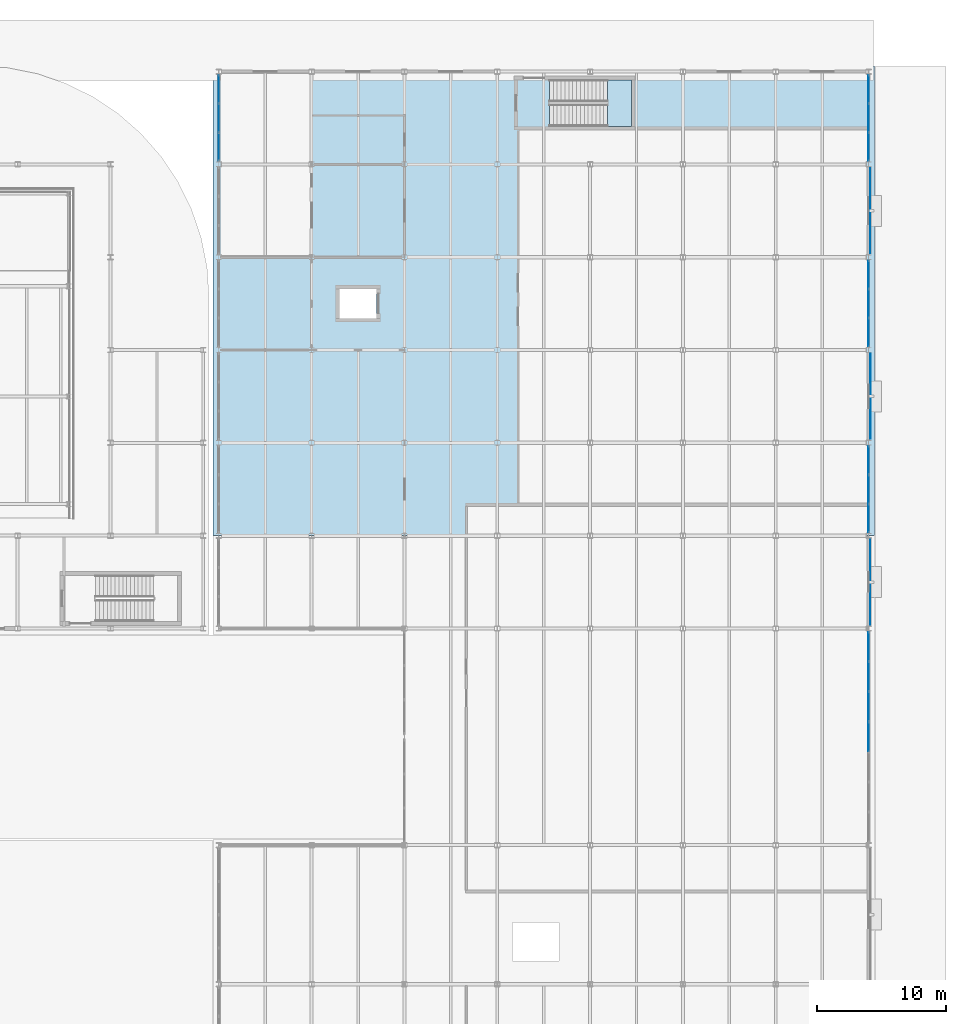
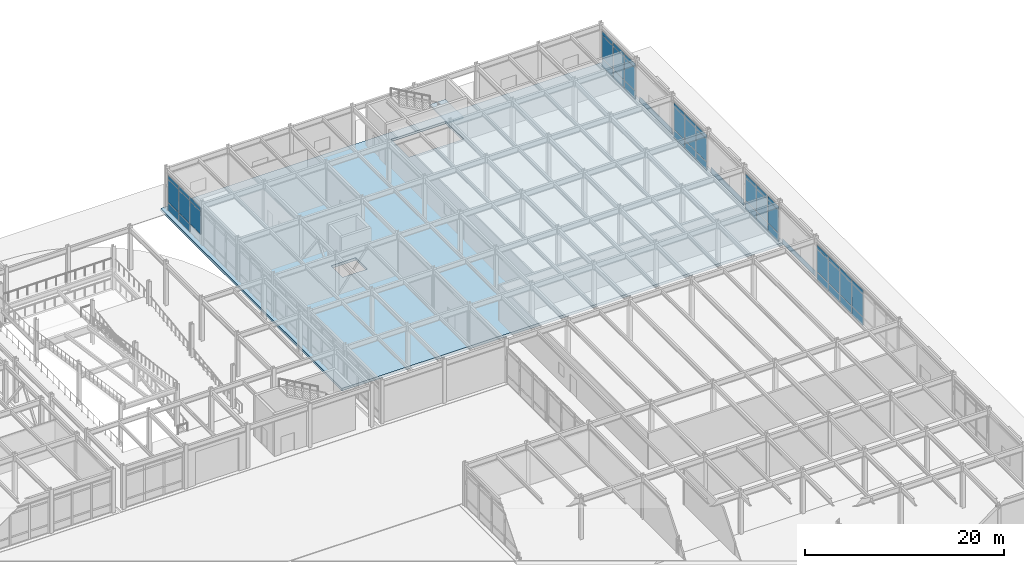
# One storey, part 66 of 104: 50 plates, 2 slabs, 6 elements without a shape of their own.
"""IFC4 building model written with IfcOpenShell, lengths in metres."""

from ifc_helpers import new_model, si_unit, direction, frame, origin, origin_2d, place, context, subcontext, project, spatial, polyline, rectangle, outline, extrude, material, layer, layer_set, type_object, element, aggregate, save


model = new_model("IFC4")

# Units and contexts
model_context = context("Model", 3, precision=1e-05, world=origin(), true_north=direction((0.0, 1.0)))
body_context = subcontext(model_context, "Body", "Model", "MODEL_VIEW")
ifc_project = project(units=[si_unit("LENGTHUNIT", "METRE"), si_unit("AREAUNIT", "SQUARE_METRE"), si_unit("VOLUMEUNIT", "CUBIC_METRE"), si_unit("PLANEANGLEUNIT", "RADIAN"), si_unit("MASSUNIT", "GRAM", prefix="KILO")], contexts=[model_context])

# Site, building, storey
site_placement = place(None, origin())
site = spatial("IfcSite", under=ifc_project, at=site_placement, CompositionType="ELEMENT")
building_placement = place(site_placement, origin())
building = spatial("IfcBuilding", under=site, at=building_placement, Name="Vaelcorin Mobility Hub", CompositionType="ELEMENT")
storey_placement = place(building_placement, origin())
storey = spatial("IfcBuildingStorey", under=building, at=storey_placement, Name="L00", CompositionType="ELEMENT", Elevation=0.0)

# Curtain wall, plates
ifc_material_1 = material(Name="Anodised aluminium 6063-T6", Category="aluminium")
curtain_wall_type = type_object("IfcCurtainWallType", Name="CW-MOB-A", PredefinedType="NOTDEFINED", material=ifc_material_1)
curtain_wall_1_placement = place(storey_placement, origin())
curtain_wall_1 = element("IfcCurtainWall", 1, at=curtain_wall_1_placement, inside=storey, type_object=curtain_wall_type, Name="L00 Curtain Wall CW-V5-L00-E-08", PredefinedType="NOTDEFINED")
ifc_material_2 = material(Name="Low-E solar-control insulated glazing", Category="glass")
ifc_layer_1 = layer(ifc_material_2, 0.031982421875)
ifc_layer_set_1 = layer_set([ifc_layer_1], Name="Low-E solar-control insulated glazing")
plate_type_1 = type_object("IfcPlateType", Name="CW-PAN-GLZ32", PredefinedType="CURTAIN_PANEL", material=ifc_layer_set_1)
plate_1_placement = place(storey_placement, frame((204.0, 75.396484375, 0.06005859375), z_axis=(0.0, 0.0, 1.0), x_axis=(0.0, -1.0, 0.0)))
plate_1 = element("IfcPlate", 2, at=plate_1_placement, type_object=plate_type_1, Name="CW7 panel 1.1", PredefinedType="CURTAIN_PANEL", context=body_context, shape_type="SweptSolid", body=[
    extrude(rectangle(XDim=2.2470703125, YDim=0.028076171875, at=origin_2d()), origin(), (0.0, 0.0, 1.0), 0.9599609375),
])
plate_2_placement = place(storey_placement, frame((204.0, 75.396484375, 1.080078125), z_axis=(0.0, 0.0, 1.0), x_axis=(0.0, -1.0, 0.0)))
plate_2 = element("IfcPlate", 3, at=plate_2_placement, type_object=plate_type_1, Name="CW7 panel 1.2", PredefinedType="CURTAIN_PANEL", context=body_context, shape_type="SweptSolid", body=[
    extrude(rectangle(XDim=2.2470703125, YDim=0.028076171875, at=origin_2d()), origin(), (0.0, 0.0, 1.0), 2.781982421875),
])
plate_3_placement = place(storey_placement, frame((204.0, 75.396484375, 3.922119140625), z_axis=(0.0, 0.0, 1.0), x_axis=(0.0, -1.0, 0.0)))
plate_3 = element("IfcPlate", 4, at=plate_3_placement, type_object=plate_type_1, Name="CW7 panel 1.3", PredefinedType="CURTAIN_PANEL", context=body_context, shape_type="SweptSolid", body=[
    extrude(rectangle(XDim=2.2470703125, YDim=0.028076171875, at=origin_2d()), origin(), (0.0, 0.0, 1.0), 0.4599609375),
])
plate_4_placement = place(storey_placement, frame((204.0, 73.07421875, 0.06005859375), z_axis=(0.0, 0.0, 1.0), x_axis=(0.0, -1.0, 0.0)))
plate_4 = element("IfcPlate", 5, at=plate_4_placement, type_object=plate_type_1, Name="CW7 panel 2.1", PredefinedType="CURTAIN_PANEL", context=body_context, shape_type="SweptSolid", body=[
    extrude(rectangle(XDim=2.277099609375, YDim=0.028076171875, at=origin_2d()), origin(), (0.0, 0.0, 1.0), 0.9599609375),
])
plate_5_placement = place(storey_placement, frame((204.0, 73.07421875, 1.080078125), z_axis=(0.0, 0.0, 1.0), x_axis=(0.0, -1.0, 0.0)))
plate_5 = element("IfcPlate", 6, at=plate_5_placement, type_object=plate_type_1, Name="CW7 panel 2.2", PredefinedType="CURTAIN_PANEL", context=body_context, shape_type="SweptSolid", body=[
    extrude(rectangle(XDim=2.277099609375, YDim=0.028076171875, at=origin_2d()), origin(), (0.0, 0.0, 1.0), 2.781982421875),
])
plate_6_placement = place(storey_placement, frame((204.0, 73.07421875, 3.922119140625), z_axis=(0.0, 0.0, 1.0), x_axis=(0.0, -1.0, 0.0)))
plate_6 = element("IfcPlate", 7, at=plate_6_placement, type_object=plate_type_1, Name="CW7 panel 2.3", PredefinedType="CURTAIN_PANEL", context=body_context, shape_type="SweptSolid", body=[
    extrude(rectangle(XDim=2.277099609375, YDim=0.028076171875, at=origin_2d()), origin(), (0.0, 0.0, 1.0), 0.4599609375),
])
plate_7_placement = place(storey_placement, frame((204.0, 70.737060546875, 0.06005859375), z_axis=(0.0, 0.0, 1.0), x_axis=(0.0, -1.0, 0.0)))
plate_7 = element("IfcPlate", 8, at=plate_7_placement, type_object=plate_type_1, Name="CW7 panel 3.1", PredefinedType="CURTAIN_PANEL", context=body_context, shape_type="SweptSolid", body=[
    extrude(rectangle(XDim=2.277099609375, YDim=0.028076171875, at=origin_2d()), origin(), (0.0, 0.0, 1.0), 0.9599609375),
])
plate_8_placement = place(storey_placement, frame((204.0, 70.737060546875, 1.080078125), z_axis=(0.0, 0.0, 1.0), x_axis=(0.0, -1.0, 0.0)))
plate_8 = element("IfcPlate", 9, at=plate_8_placement, type_object=plate_type_1, Name="CW7 panel 3.2", PredefinedType="CURTAIN_PANEL", context=body_context, shape_type="SweptSolid", body=[
    extrude(rectangle(XDim=2.277099609375, YDim=0.028076171875, at=origin_2d()), origin(), (0.0, 0.0, 1.0), 2.781982421875),
])
plate_9_placement = place(storey_placement, frame((204.0, 70.737060546875, 3.922119140625), z_axis=(0.0, 0.0, 1.0), x_axis=(0.0, -1.0, 0.0)))
plate_9 = element("IfcPlate", 10, at=plate_9_placement, type_object=plate_type_1, Name="CW7 panel 3.3", PredefinedType="CURTAIN_PANEL", context=body_context, shape_type="SweptSolid", body=[
    extrude(rectangle(XDim=2.277099609375, YDim=0.028076171875, at=origin_2d()), origin(), (0.0, 0.0, 1.0), 0.4599609375),
])
plate_10_placement = place(storey_placement, frame((204.0, 68.39990234375, 0.06005859375), z_axis=(0.0, 0.0, 1.0), x_axis=(0.0, -1.0, 0.0)))
plate_10 = element("IfcPlate", 11, at=plate_10_placement, type_object=plate_type_1, Name="CW7 panel 4.1", PredefinedType="CURTAIN_PANEL", context=body_context, shape_type="SweptSolid", body=[
    extrude(rectangle(XDim=2.277099609375, YDim=0.028076171875, at=origin_2d()), origin(), (0.0, 0.0, 1.0), 0.9599609375),
])
plate_11_placement = place(storey_placement, frame((204.0, 68.39990234375, 1.080078125), z_axis=(0.0, 0.0, 1.0), x_axis=(0.0, -1.0, 0.0)))
plate_11 = element("IfcPlate", 12, at=plate_11_placement, type_object=plate_type_1, Name="CW7 panel 4.2", PredefinedType="CURTAIN_PANEL", context=body_context, shape_type="SweptSolid", body=[
    extrude(rectangle(XDim=2.277099609375, YDim=0.028076171875, at=origin_2d()), origin(), (0.0, 0.0, 1.0), 2.781982421875),
])
plate_12_placement = place(storey_placement, frame((204.0, 68.39990234375, 3.922119140625), z_axis=(0.0, 0.0, 1.0), x_axis=(0.0, -1.0, 0.0)))
plate_12 = element("IfcPlate", 13, at=plate_12_placement, type_object=plate_type_1, Name="CW7 panel 4.3", PredefinedType="CURTAIN_PANEL", context=body_context, shape_type="SweptSolid", body=[
    extrude(rectangle(XDim=2.277099609375, YDim=0.028076171875, at=origin_2d()), origin(), (0.0, 0.0, 1.0), 0.4599609375),
])
aggregate(curtain_wall_1, [plate_1, plate_2, plate_3, plate_4, plate_5, plate_6, plate_7, plate_8, plate_9, plate_10, plate_11, plate_12])

curtain_wall_2_placement = place(storey_placement, origin())
curtain_wall_2 = element("IfcCurtainWall", 14, at=curtain_wall_2_placement, inside=storey, type_object=curtain_wall_type, Name="L00 Curtain Wall CW-V5-L00-E-10", PredefinedType="NOTDEFINED")
plate_13_placement = place(storey_placement, frame((204.0, 89.83837890625, 0.06005859375), z_axis=(0.0, 0.0, 1.0), x_axis=(0.0, -1.0, 0.0)))
plate_13 = element("IfcPlate", 15, at=plate_13_placement, type_object=plate_type_1, Name="CW7 panel 1.1", PredefinedType="CURTAIN_PANEL", context=body_context, shape_type="SweptSolid", body=[
    extrude(rectangle(XDim=2.163330078125, YDim=0.028076171875, at=origin_2d()), origin(), (0.0, 0.0, 1.0), 0.9599609375),
])
plate_14_placement = place(storey_placement, frame((204.0, 89.83837890625, 1.080078125), z_axis=(0.0, 0.0, 1.0), x_axis=(0.0, -1.0, 0.0)))
plate_14 = element("IfcPlate", 16, at=plate_14_placement, type_object=plate_type_1, Name="CW7 panel 1.2", PredefinedType="CURTAIN_PANEL", context=body_context, shape_type="SweptSolid", body=[
    extrude(rectangle(XDim=2.163330078125, YDim=0.028076171875, at=origin_2d()), origin(), (0.0, 0.0, 1.0), 2.781982421875),
])
plate_15_placement = place(storey_placement, frame((204.0, 89.83837890625, 3.922119140625), z_axis=(0.0, 0.0, 1.0), x_axis=(0.0, -1.0, 0.0)))
plate_15 = element("IfcPlate", 17, at=plate_15_placement, type_object=plate_type_1, Name="CW7 panel 1.3", PredefinedType="CURTAIN_PANEL", context=body_context, shape_type="SweptSolid", body=[
    extrude(rectangle(XDim=2.163330078125, YDim=0.028076171875, at=origin_2d()), origin(), (0.0, 0.0, 1.0), 0.4599609375),
])
plate_16_placement = place(storey_placement, frame((204.0, 87.60009765625, 0.06005859375), z_axis=(0.0, 0.0, 1.0), x_axis=(0.0, -1.0, 0.0)))
plate_16 = element("IfcPlate", 18, at=plate_16_placement, type_object=plate_type_1, Name="CW7 panel 2.1", PredefinedType="CURTAIN_PANEL", context=body_context, shape_type="SweptSolid", body=[
    extrude(rectangle(XDim=2.193359375, YDim=0.028076171875, at=origin_2d()), origin(), (0.0, 0.0, 1.0), 0.9599609375),
])
plate_17_placement = place(storey_placement, frame((204.0, 87.60009765625, 1.080078125), z_axis=(0.0, 0.0, 1.0), x_axis=(0.0, -1.0, 0.0)))
plate_17 = element("IfcPlate", 19, at=plate_17_placement, type_object=plate_type_1, Name="CW7 panel 2.2", PredefinedType="CURTAIN_PANEL", context=body_context, shape_type="SweptSolid", body=[
    extrude(rectangle(XDim=2.193359375, YDim=0.028076171875, at=origin_2d()), origin(), (0.0, 0.0, 1.0), 2.781982421875),
])
plate_18_placement = place(storey_placement, frame((204.0, 87.60009765625, 3.922119140625), z_axis=(0.0, 0.0, 1.0), x_axis=(0.0, -1.0, 0.0)))
plate_18 = element("IfcPlate", 20, at=plate_18_placement, type_object=plate_type_1, Name="CW7 panel 2.3", PredefinedType="CURTAIN_PANEL", context=body_context, shape_type="SweptSolid", body=[
    extrude(rectangle(XDim=2.193359375, YDim=0.028076171875, at=origin_2d()), origin(), (0.0, 0.0, 1.0), 0.4599609375),
])
plate_19_placement = place(storey_placement, frame((204.0, 85.361572265625, 0.06005859375), z_axis=(0.0, 0.0, 1.0), x_axis=(0.0, -1.0, 0.0)))
plate_19 = element("IfcPlate", 21, at=plate_19_placement, type_object=plate_type_1, Name="CW7 panel 3.1", PredefinedType="CURTAIN_PANEL", context=body_context, shape_type="SweptSolid", body=[
    extrude(rectangle(XDim=2.163330078125, YDim=0.028076171875, at=origin_2d()), origin(), (0.0, 0.0, 1.0), 0.9599609375),
])
plate_20_placement = place(storey_placement, frame((204.0, 85.361572265625, 1.080078125), z_axis=(0.0, 0.0, 1.0), x_axis=(0.0, -1.0, 0.0)))
plate_20 = element("IfcPlate", 22, at=plate_20_placement, type_object=plate_type_1, Name="CW7 panel 3.2", PredefinedType="CURTAIN_PANEL", context=body_context, shape_type="SweptSolid", body=[
    extrude(rectangle(XDim=2.163330078125, YDim=0.028076171875, at=origin_2d()), origin(), (0.0, 0.0, 1.0), 2.781982421875),
])
plate_21_placement = place(storey_placement, frame((204.0, 85.361572265625, 3.922119140625), z_axis=(0.0, 0.0, 1.0), x_axis=(0.0, -1.0, 0.0)))
plate_21 = element("IfcPlate", 23, at=plate_21_placement, type_object=plate_type_1, Name="CW7 panel 3.3", PredefinedType="CURTAIN_PANEL", context=body_context, shape_type="SweptSolid", body=[
    extrude(rectangle(XDim=2.163330078125, YDim=0.028076171875, at=origin_2d()), origin(), (0.0, 0.0, 1.0), 0.4599609375),
])
aggregate(curtain_wall_2, [plate_13, plate_14, plate_15, plate_16, plate_17, plate_18, plate_19, plate_20, plate_21])

curtain_wall_3_placement = place(storey_placement, origin())
curtain_wall_3 = element("IfcCurtainWall", 24, at=curtain_wall_3_placement, inside=storey, type_object=curtain_wall_type, Name="L00 Curtain Wall CW-V5-L00-E-12", PredefinedType="NOTDEFINED")
plate_22_placement = place(storey_placement, frame((204.0, 104.23828125, 0.06005859375), z_axis=(0.0, 0.0, 1.0), x_axis=(0.0, -1.0, 0.0)))
plate_22 = element("IfcPlate", 25, at=plate_22_placement, type_object=plate_type_1, Name="CW7 panel 1.1", PredefinedType="CURTAIN_PANEL", context=body_context, shape_type="SweptSolid", body=[
    extrude(rectangle(XDim=2.163330078125, YDim=0.028076171875, at=origin_2d()), origin(), (0.0, 0.0, 1.0), 0.9599609375),
])
plate_23_placement = place(storey_placement, frame((204.0, 104.23828125, 1.080078125), z_axis=(0.0, 0.0, 1.0), x_axis=(0.0, -1.0, 0.0)))
plate_23 = element("IfcPlate", 26, at=plate_23_placement, type_object=plate_type_1, Name="CW7 panel 1.2", PredefinedType="CURTAIN_PANEL", context=body_context, shape_type="SweptSolid", body=[
    extrude(rectangle(XDim=2.163330078125, YDim=0.028076171875, at=origin_2d()), origin(), (0.0, 0.0, 1.0), 2.781982421875),
])
plate_24_placement = place(storey_placement, frame((204.0, 104.23828125, 3.922119140625), z_axis=(0.0, 0.0, 1.0), x_axis=(0.0, -1.0, 0.0)))
plate_24 = element("IfcPlate", 27, at=plate_24_placement, type_object=plate_type_1, Name="CW7 panel 1.3", PredefinedType="CURTAIN_PANEL", context=body_context, shape_type="SweptSolid", body=[
    extrude(rectangle(XDim=2.163330078125, YDim=0.028076171875, at=origin_2d()), origin(), (0.0, 0.0, 1.0), 0.4599609375),
])
plate_25_placement = place(storey_placement, frame((204.0, 102.0, 0.06005859375), z_axis=(0.0, 0.0, 1.0), x_axis=(0.0, -1.0, 0.0)))
plate_25 = element("IfcPlate", 28, at=plate_25_placement, type_object=plate_type_1, Name="CW7 panel 2.1", PredefinedType="CURTAIN_PANEL", context=body_context, shape_type="SweptSolid", body=[
    extrude(rectangle(XDim=2.193359375, YDim=0.028076171875, at=origin_2d()), origin(), (0.0, 0.0, 1.0), 0.9599609375),
])
plate_26_placement = place(storey_placement, frame((204.0, 102.0, 1.080078125), z_axis=(0.0, 0.0, 1.0), x_axis=(0.0, -1.0, 0.0)))
plate_26 = element("IfcPlate", 29, at=plate_26_placement, type_object=plate_type_1, Name="CW7 panel 2.2", PredefinedType="CURTAIN_PANEL", context=body_context, shape_type="SweptSolid", body=[
    extrude(rectangle(XDim=2.193359375, YDim=0.028076171875, at=origin_2d()), origin(), (0.0, 0.0, 1.0), 2.781982421875),
])
plate_27_placement = place(storey_placement, frame((204.0, 102.0, 3.922119140625), z_axis=(0.0, 0.0, 1.0), x_axis=(0.0, -1.0, 0.0)))
plate_27 = element("IfcPlate", 30, at=plate_27_placement, type_object=plate_type_1, Name="CW7 panel 2.3", PredefinedType="CURTAIN_PANEL", context=body_context, shape_type="SweptSolid", body=[
    extrude(rectangle(XDim=2.193359375, YDim=0.028076171875, at=origin_2d()), origin(), (0.0, 0.0, 1.0), 0.4599609375),
])
plate_28_placement = place(storey_placement, frame((204.0, 99.76171875, 0.06005859375), z_axis=(0.0, 0.0, 1.0), x_axis=(0.0, -1.0, 0.0)))
plate_28 = element("IfcPlate", 31, at=plate_28_placement, type_object=plate_type_1, Name="CW7 panel 3.1", PredefinedType="CURTAIN_PANEL", context=body_context, shape_type="SweptSolid", body=[
    extrude(rectangle(XDim=2.163330078125, YDim=0.028076171875, at=origin_2d()), origin(), (0.0, 0.0, 1.0), 0.9599609375),
])
plate_29_placement = place(storey_placement, frame((204.0, 99.76171875, 1.080078125), z_axis=(0.0, 0.0, 1.0), x_axis=(0.0, -1.0, 0.0)))
plate_29 = element("IfcPlate", 32, at=plate_29_placement, type_object=plate_type_1, Name="CW7 panel 3.2", PredefinedType="CURTAIN_PANEL", context=body_context, shape_type="SweptSolid", body=[
    extrude(rectangle(XDim=2.163330078125, YDim=0.028076171875, at=origin_2d()), origin(), (0.0, 0.0, 1.0), 2.781982421875),
])
plate_30_placement = place(storey_placement, frame((204.0, 99.76171875, 3.922119140625), z_axis=(0.0, 0.0, 1.0), x_axis=(0.0, -1.0, 0.0)))
plate_30 = element("IfcPlate", 33, at=plate_30_placement, type_object=plate_type_1, Name="CW7 panel 3.3", PredefinedType="CURTAIN_PANEL", context=body_context, shape_type="SweptSolid", body=[
    extrude(rectangle(XDim=2.163330078125, YDim=0.028076171875, at=origin_2d()), origin(), (0.0, 0.0, 1.0), 0.4599609375),
])
aggregate(curtain_wall_3, [plate_22, plate_23, plate_24, plate_25, plate_26, plate_27, plate_28, plate_29, plate_30])

curtain_wall_4_placement = place(storey_placement, origin())
curtain_wall_4 = element("IfcCurtainWall", 34, at=curtain_wall_4_placement, inside=storey, type_object=curtain_wall_type, Name="L00 Curtain Wall CW-V5-L00-E-14", PredefinedType="NOTDEFINED")
plate_31_placement = place(storey_placement, frame((204.0, 118.638427734375, 0.06005859375), z_axis=(0.0, 0.0, 1.0), x_axis=(0.0, -1.0, 0.0)))
plate_31 = element("IfcPlate", 35, at=plate_31_placement, type_object=plate_type_1, Name="CW7 panel 1.1", PredefinedType="CURTAIN_PANEL", context=body_context, shape_type="SweptSolid", body=[
    extrude(rectangle(XDim=2.163330078125, YDim=0.028076171875, at=origin_2d()), origin(), (0.0, 0.0, 1.0), 0.9599609375),
])
plate_32_placement = place(storey_placement, frame((204.0, 118.638427734375, 1.080078125), z_axis=(0.0, 0.0, 1.0), x_axis=(0.0, -1.0, 0.0)))
plate_32 = element("IfcPlate", 36, at=plate_32_placement, type_object=plate_type_1, Name="CW7 panel 1.2", PredefinedType="CURTAIN_PANEL", context=body_context, shape_type="SweptSolid", body=[
    extrude(rectangle(XDim=2.163330078125, YDim=0.028076171875, at=origin_2d()), origin(), (0.0, 0.0, 1.0), 2.781982421875),
])
plate_33_placement = place(storey_placement, frame((204.0, 118.638427734375, 3.922119140625), z_axis=(0.0, 0.0, 1.0), x_axis=(0.0, -1.0, 0.0)))
plate_33 = element("IfcPlate", 37, at=plate_33_placement, type_object=plate_type_1, Name="CW7 panel 1.3", PredefinedType="CURTAIN_PANEL", context=body_context, shape_type="SweptSolid", body=[
    extrude(rectangle(XDim=2.163330078125, YDim=0.028076171875, at=origin_2d()), origin(), (0.0, 0.0, 1.0), 0.4599609375),
])
plate_34_placement = place(storey_placement, frame((204.0, 116.39990234375, 0.06005859375), z_axis=(0.0, 0.0, 1.0), x_axis=(0.0, -1.0, 0.0)))
plate_34 = element("IfcPlate", 38, at=plate_34_placement, type_object=plate_type_1, Name="CW7 panel 2.1", PredefinedType="CURTAIN_PANEL", context=body_context, shape_type="SweptSolid", body=[
    extrude(rectangle(XDim=2.193359375, YDim=0.028076171875, at=origin_2d()), origin(), (0.0, 0.0, 1.0), 0.9599609375),
])
plate_35_placement = place(storey_placement, frame((204.0, 116.39990234375, 1.080078125), z_axis=(0.0, 0.0, 1.0), x_axis=(0.0, -1.0, 0.0)))
plate_35 = element("IfcPlate", 39, at=plate_35_placement, type_object=plate_type_1, Name="CW7 panel 2.2", PredefinedType="CURTAIN_PANEL", context=body_context, shape_type="SweptSolid", body=[
    extrude(rectangle(XDim=2.193359375, YDim=0.028076171875, at=origin_2d()), origin(), (0.0, 0.0, 1.0), 2.781982421875),
])
plate_36_placement = place(storey_placement, frame((204.0, 116.39990234375, 3.922119140625), z_axis=(0.0, 0.0, 1.0), x_axis=(0.0, -1.0, 0.0)))
plate_36 = element("IfcPlate", 40, at=plate_36_placement, type_object=plate_type_1, Name="CW7 panel 2.3", PredefinedType="CURTAIN_PANEL", context=body_context, shape_type="SweptSolid", body=[
    extrude(rectangle(XDim=2.193359375, YDim=0.028076171875, at=origin_2d()), origin(), (0.0, 0.0, 1.0), 0.4599609375),
])
plate_37_placement = place(storey_placement, frame((204.0, 114.16162109375, 0.06005859375), z_axis=(0.0, 0.0, 1.0), x_axis=(0.0, -1.0, 0.0)))
plate_37 = element("IfcPlate", 41, at=plate_37_placement, type_object=plate_type_1, Name="CW7 panel 3.1", PredefinedType="CURTAIN_PANEL", context=body_context, shape_type="SweptSolid", body=[
    extrude(rectangle(XDim=2.163330078125, YDim=0.028076171875, at=origin_2d()), origin(), (0.0, 0.0, 1.0), 0.9599609375),
])
plate_38_placement = place(storey_placement, frame((204.0, 114.16162109375, 1.080078125), z_axis=(0.0, 0.0, 1.0), x_axis=(0.0, -1.0, 0.0)))
plate_38 = element("IfcPlate", 42, at=plate_38_placement, type_object=plate_type_1, Name="CW7 panel 3.2", PredefinedType="CURTAIN_PANEL", context=body_context, shape_type="SweptSolid", body=[
    extrude(rectangle(XDim=2.163330078125, YDim=0.028076171875, at=origin_2d()), origin(), (0.0, 0.0, 1.0), 2.781982421875),
])
plate_39_placement = place(storey_placement, frame((204.0, 114.16162109375, 3.922119140625), z_axis=(0.0, 0.0, 1.0), x_axis=(0.0, -1.0, 0.0)))
plate_39 = element("IfcPlate", 43, at=plate_39_placement, type_object=plate_type_1, Name="CW7 panel 3.3", PredefinedType="CURTAIN_PANEL", context=body_context, shape_type="SweptSolid", body=[
    extrude(rectangle(XDim=2.163330078125, YDim=0.028076171875, at=origin_2d()), origin(), (0.0, 0.0, 1.0), 0.4599609375),
])
aggregate(curtain_wall_4, [plate_31, plate_32, plate_33, plate_34, plate_35, plate_36, plate_37, plate_38, plate_39])

curtain_wall_5_placement = place(storey_placement, origin())
curtain_wall_5 = element("IfcCurtainWall", 44, at=curtain_wall_5_placement, inside=storey, type_object=curtain_wall_type, Name="L00 Curtain Wall CW-V5-L00-WN-06", PredefinedType="NOTDEFINED")
plate_40_placement = place(storey_placement, frame((153.60009765625, 114.16162109375, 1.080078125), z_axis=(0.0, 0.0, 1.0), x_axis=(0.0, 1.0, 0.0)))
plate_40 = element("IfcPlate", 45, at=plate_40_placement, type_object=plate_type_1, Name="CW7 panel 1.2", PredefinedType="CURTAIN_PANEL", context=body_context, shape_type="SweptSolid", body=[
    extrude(rectangle(XDim=2.163330078125, YDim=0.028076171875, at=origin_2d()), origin(), (0.0, 0.0, 1.0), 2.781982421875),
])
plate_41_placement = place(storey_placement, frame((153.60009765625, 114.16162109375, 3.922119140625), z_axis=(0.0, 0.0, 1.0), x_axis=(0.0, 1.0, 0.0)))
plate_41 = element("IfcPlate", 46, at=plate_41_placement, type_object=plate_type_1, Name="CW7 panel 1.3", PredefinedType="CURTAIN_PANEL", context=body_context, shape_type="SweptSolid", body=[
    extrude(rectangle(XDim=2.163330078125, YDim=0.028076171875, at=origin_2d()), origin(), (0.0, 0.0, 1.0), 0.4599609375),
])
plate_42_placement = place(storey_placement, frame((153.60009765625, 116.39990234375, 0.06005859375), z_axis=(0.0, 0.0, 1.0), x_axis=(0.0, 1.0, 0.0)))
plate_42 = element("IfcPlate", 47, at=plate_42_placement, type_object=plate_type_1, Name="CW7 panel 2.1", PredefinedType="CURTAIN_PANEL", context=body_context, shape_type="SweptSolid", body=[
    extrude(rectangle(XDim=2.193359375, YDim=0.028076171875, at=origin_2d()), origin(), (0.0, 0.0, 1.0), 0.9599609375),
])
plate_43_placement = place(storey_placement, frame((153.60009765625, 116.39990234375, 1.080078125), z_axis=(0.0, 0.0, 1.0), x_axis=(0.0, 1.0, 0.0)))
plate_43 = element("IfcPlate", 48, at=plate_43_placement, type_object=plate_type_1, Name="CW7 panel 2.2", PredefinedType="CURTAIN_PANEL", context=body_context, shape_type="SweptSolid", body=[
    extrude(rectangle(XDim=2.193359375, YDim=0.028076171875, at=origin_2d()), origin(), (0.0, 0.0, 1.0), 2.781982421875),
])
plate_44_placement = place(storey_placement, frame((153.60009765625, 116.39990234375, 3.922119140625), z_axis=(0.0, 0.0, 1.0), x_axis=(0.0, 1.0, 0.0)))
plate_44 = element("IfcPlate", 49, at=plate_44_placement, type_object=plate_type_1, Name="CW7 panel 2.3", PredefinedType="CURTAIN_PANEL", context=body_context, shape_type="SweptSolid", body=[
    extrude(rectangle(XDim=2.193359375, YDim=0.028076171875, at=origin_2d()), origin(), (0.0, 0.0, 1.0), 0.4599609375),
])
plate_45_placement = place(storey_placement, frame((153.60009765625, 118.638427734375, 0.06005859375), z_axis=(0.0, 0.0, 1.0), x_axis=(0.0, 1.0, 0.0)))
plate_45 = element("IfcPlate", 50, at=plate_45_placement, type_object=plate_type_1, Name="CW7 panel 3.1", PredefinedType="CURTAIN_PANEL", context=body_context, shape_type="SweptSolid", body=[
    extrude(rectangle(XDim=2.163330078125, YDim=0.028076171875, at=origin_2d()), origin(), (0.0, 0.0, 1.0), 0.9599609375),
])
plate_46_placement = place(storey_placement, frame((153.60009765625, 118.638427734375, 1.080078125), z_axis=(0.0, 0.0, 1.0), x_axis=(0.0, 1.0, 0.0)))
plate_46 = element("IfcPlate", 51, at=plate_46_placement, type_object=plate_type_1, Name="CW7 panel 3.2", PredefinedType="CURTAIN_PANEL", context=body_context, shape_type="SweptSolid", body=[
    extrude(rectangle(XDim=2.163330078125, YDim=0.028076171875, at=origin_2d()), origin(), (0.0, 0.0, 1.0), 2.781982421875),
])
plate_47_placement = place(storey_placement, frame((153.60009765625, 118.638427734375, 3.922119140625), z_axis=(0.0, 0.0, 1.0), x_axis=(0.0, 1.0, 0.0)))
plate_47 = element("IfcPlate", 52, at=plate_47_placement, type_object=plate_type_1, Name="CW7 panel 3.3", PredefinedType="CURTAIN_PANEL", context=body_context, shape_type="SweptSolid", body=[
    extrude(rectangle(XDim=2.163330078125, YDim=0.028076171875, at=origin_2d()), origin(), (0.0, 0.0, 1.0), 0.4599609375),
])
aggregate(curtain_wall_5, [plate_40, plate_41, plate_42, plate_43, plate_44, plate_45, plate_46, plate_47])

# Plates
ifc_material_3 = material(Name="Extruded terracotta-bronze rainscreen panel", Category="masonry")
ifc_layer_2 = layer(ifc_material_3, 0.01806640625)
ifc_layer_set_2 = layer_set([ifc_layer_2], Name="Extruded terracotta-bronze rainscreen panel")
plate_type_2 = type_object("IfcPlateType", Name="PL-CLAD-18", PredefinedType="SHEET", material=ifc_layer_set_2)
for number, where, z_axis, x_axis, name in (
    (53, (204.138916015625, 80.39990234375, 0.0498046875), (0.0, 0.0, 1.0), (1.0, 0.0, 0.0), "Terracotta-Bronze Rainscreen Spandrel L00-09"),
    (54, (204.138916015625, 109.199951171875, 0.0498046875), (0.0, 0.0, 1.0), (1.0, 0.0, 0.0), "Terracotta-Bronze Rainscreen Spandrel L00-13"),
):
    element("IfcPlate", number, at=place(storey_placement, frame(where, z_axis=z_axis, x_axis=x_axis)), inside=storey, type_object=plate_type_2, Name=name, PredefinedType="SHEET", context=body_context, shape_type="SweptSolid", body=[
        extrude(rectangle(XDim=0.01806640625, YDim=6.60009765625, at=origin_2d()), origin(), (0.0, 0.0, 1.0), 0.699951171875),
    ])
ifc_layer_3 = layer(ifc_material_3, 0.02197265625)
ifc_layer_set_3 = layer_set([ifc_layer_3], Name="Extruded terracotta-bronze rainscreen panel")
plate_type_3 = type_object("IfcPlateType", Name="PL-CLAD-22", PredefinedType="SHEET", material=ifc_layer_set_3)
plate_48_placement = place(storey_placement, frame((204.14111328125, 94.800048828125, 0.0498046875), z_axis=(0.0, 0.0, 1.0), x_axis=(1.0, 0.0, 0.0)))
element("IfcPlate", 55, at=plate_48_placement, inside=storey, type_object=plate_type_3, Name="Terracotta-Bronze Rainscreen Spandrel L00-11", PredefinedType="SHEET", context=body_context, shape_type="SweptSolid", body=[
    extrude(rectangle(XDim=0.02197265625, YDim=6.60009765625, at=origin_2d()), origin(), (0.0, 0.0, 1.0), 0.699951171875),
])

# Stair, slab
ifc_material_4 = material(Name="Reinforced concrete f'c 45 MPa", Category="concrete")
stair_type = type_object("IfcStairType", Name="STAIR-ST6", PredefinedType="HALF_TURN_STAIR", material=ifc_material_4)
stair_placement = place(storey_placement, origin())
stair = element("IfcStair", 56, at=stair_placement, inside=storey, type_object=stair_type, Name="L00 Protected Exit Stair ST6", PredefinedType="HALF_TURN_STAIR")
ifc_layer_4 = layer(ifc_material_4, 0.199951171875)
ifc_layer_set_4 = layer_set([ifc_layer_4], Name="Reinforced concrete f'c 45 MPa")
slab_type_1 = type_object("IfcSlabType", Name="SLAB-LND-200", PredefinedType="LANDING", material=ifc_layer_set_4)
slab_1_placement = place(storey_placement, frame((0.0, 0.0, 2.5)))
slab_1 = element("IfcSlab", 57, at=slab_1_placement, type_object=slab_type_1, Name="ST6 landing 1", PredefinedType="LANDING", context=body_context, shape_type="SweptSolid", body=[
    extrude(outline(polyline([(183.75, 115.75), (185.60009765625, 115.75), (185.60009765625, 119.35009765625), (183.75, 119.35009765625), (183.75, 115.75)])), origin(), (0.0, 0.0, 1.0), 0.199951171875),
])
aggregate(stair, [slab_1])

# Slab
ifc_material_5 = material(Name="Concrete f'c 35 MPa", Category="concrete")
ifc_layer_5 = layer(ifc_material_5, 0.320068359375)
ifc_layer_set_5 = layer_set([ifc_layer_5], Name="Concrete f'c 35 MPa")
slab_type_2 = type_object("IfcSlabType", Name="SLAB-WK1", PredefinedType="FLOOR", material=ifc_layer_set_5)
slab_2_placement = place(storey_placement, frame((0.0, 0.0, -0.320068359375)))
element("IfcSlab", 58, at=slab_2_placement, inside=storey, type_object=slab_type_2, Name="L00 Mobility Workshop Floor SL-V5-L00-N", PredefinedType="FLOOR", context=body_context, shape_type="SweptSolid", body=[
    extrude(outline(polyline([(153.14990234375, 84.0), (153.14990234375, 120.449951171875), (204.449951171875, 120.449951171875), (204.449951171875, 84.0), (153.14990234375, 84.0)]), holes=[polyline([(165.85009765625, 103.14990234375), (162.949951171875, 103.14990234375), (162.949951171875, 100.85009765625), (165.85009765625, 100.85009765625), (165.85009765625, 103.14990234375)]), polyline([(185.60009765625, 119.35009765625), (179.2548828125, 119.35009765625), (179.2548828125, 115.75), (185.60009765625, 115.75), (185.60009765625, 119.35009765625)])]), origin(), (0.0, 0.0, 1.0), 0.320068359375),
])

save(model, "model.ifc")
